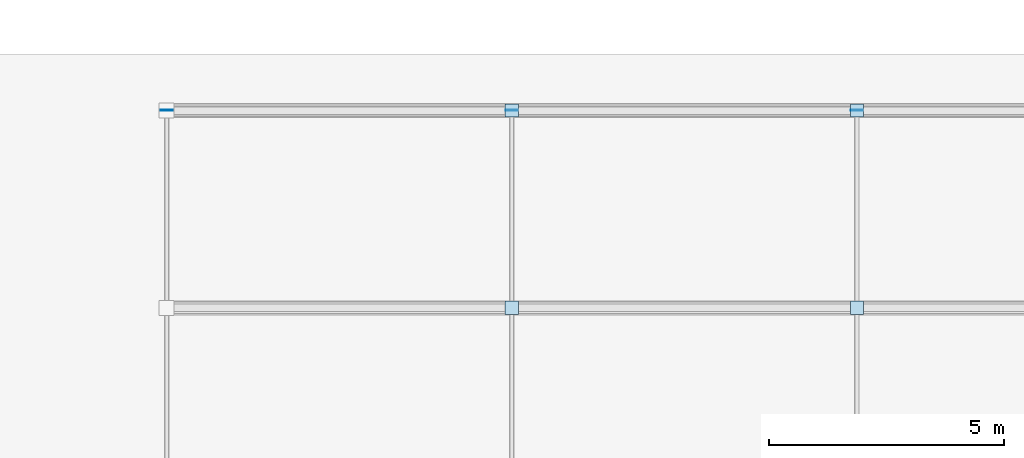
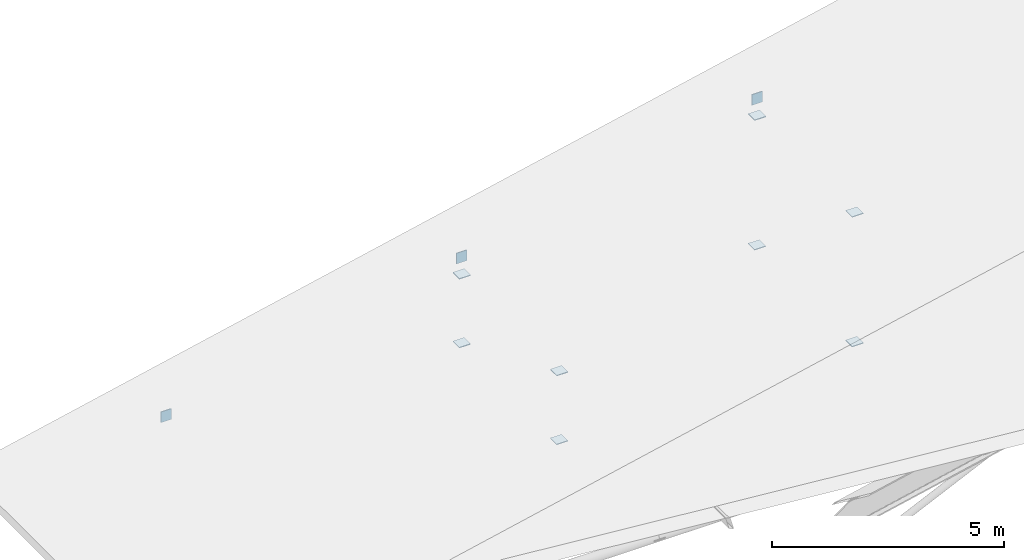
# One storey, part 53 of 60: 11 plates.
"""IFC4 building model written with IfcOpenShell, lengths in metres."""

from ifc_helpers import new_model, si_unit, direction, frame, origin, origin_2d, place, context, subcontext, project, spatial, rectangle, extrude, material, type_object, element, save


model = new_model("IFC4")

# Units and contexts
model_context = context("Model", 3, precision=1e-05, world=origin(), true_north=direction((0.0, 1.0)))
body_context = subcontext(model_context, "Body", "Model", "MODEL_VIEW")
ifc_project = project(units=[si_unit("LENGTHUNIT", "METRE"), si_unit("AREAUNIT", "SQUARE_METRE"), si_unit("VOLUMEUNIT", "CUBIC_METRE"), si_unit("PLANEANGLEUNIT", "RADIAN"), si_unit("MASSUNIT", "GRAM", prefix="KILO")], contexts=[model_context])

# Site, building, storey
site_placement = place(None, origin())
site = spatial("IfcSite", under=ifc_project, at=site_placement, CompositionType="ELEMENT")
building_placement = place(site_placement, origin())
building = spatial("IfcBuilding", under=site, at=building_placement, Name="Nakhvara Creek Congress Hotel", CompositionType="ELEMENT")
storey_placement = place(building_placement, frame((0.0, 0.0, 54.60009765625)))
storey = spatial("IfcBuildingStorey", under=building, at=storey_placement, Name="RL1", CompositionType="ELEMENT", Elevation=54.60009765625)

# Plates
ifc_material = material(Name="Steel S355J2", Category="steel")
plate_type_1 = type_object("IfcPlateType", Name="PLT-CAP-260X280X20", PredefinedType="USERDEFINED", material=ifc_material)
for number, where, z_axis, x_axis, name in (
    (1, (4.35009765625, 124.81005859375, -41.3740234375), (0.0, 0.0, 1.0), (1.0, 0.0, 0.0), "Ballroom Purlin End-Cap Plate SN08-1N"),
    (2, (11.699951171875, 124.81005859375, -39.77392578125), (0.0, 0.0, 1.0), (1.0, 0.0, 0.0), "Ballroom Purlin End-Cap Plate SN08-2N"),
    (3, (19.050048828125, 124.81005859375, -38.173828125), (0.0, 0.0, 1.0), (1.0, 0.0, 0.0), "Ballroom Purlin End-Cap Plate SN08-3N"),
):
    element("IfcPlate", number, at=place(storey_placement, frame(where, z_axis=z_axis, x_axis=x_axis)), inside=storey, type_object=plate_type_1, Name=name, ObjectType="GUSSET_PLATE", PredefinedType="USERDEFINED", context=body_context, shape_type="SweptSolid", body=[
        extrude(rectangle(XDim=0.260009765625, YDim=0.02001953125, at=origin_2d()), origin(), (0.0, 0.0, 1.0), 0.280029296875),
    ])
plate_type_2 = type_object("IfcPlateType", Name="PLT-NODE-280X280X18", PredefinedType="USERDEFINED", material=ifc_material)
for number, where, z_axis, x_axis, name in (
    (4, (11.699951171875, 120.60009765625, -41.899169921875), (0.0, 0.0, 1.0), (1.0, 0.0, 0.0), "Ballroom Truss Node Gusset Plate SN-079"),
    (5, (11.699951171875, 120.60009765625, -40.089111328125), (0.0, 0.0, 1.0), (1.0, 0.0, 0.0), "Ballroom Truss Rafter Gusset Plate SN-080"),
    (6, (19.050048828125, 120.60009765625, -41.899169921875), (0.0, 0.0, 1.0), (1.0, 0.0, 0.0), "Ballroom Truss Node Gusset Plate SN-081"),
    (7, (19.050048828125, 120.60009765625, -38.489013671875), (0.0, 0.0, 1.0), (1.0, 0.0, 0.0), "Ballroom Truss Rafter Gusset Plate SN-082"),
    (8, (11.699951171875, 124.800048828125, -41.899169921875), (0.0, 0.0, 1.0), (1.0, 0.0, 0.0), "Ballroom Truss Node Gusset Plate SN-090"),
    (9, (11.699951171875, 124.800048828125, -40.089111328125), (0.0, 0.0, 1.0), (1.0, 0.0, 0.0), "Ballroom Truss Rafter Gusset Plate SN-091"),
    (10, (19.050048828125, 124.800048828125, -41.899169921875), (0.0, 0.0, 1.0), (1.0, 0.0, 0.0), "Ballroom Truss Node Gusset Plate SN-092"),
    (11, (19.050048828125, 124.800048828125, -38.489013671875), (0.0, 0.0, 1.0), (1.0, 0.0, 0.0), "Ballroom Truss Rafter Gusset Plate SN-093"),
):
    element("IfcPlate", number, at=place(storey_placement, frame(where, z_axis=z_axis, x_axis=x_axis)), inside=storey, type_object=plate_type_2, Name=name, ObjectType="GUSSET_PLATE", PredefinedType="USERDEFINED", context=body_context, shape_type="SweptSolid", body=[
        extrude(rectangle(XDim=0.280029296875, YDim=0.280029296875, at=origin_2d()), origin(), (0.0, 0.0, 1.0), 0.01806640625),
    ])

save(model, "model.ifc")
